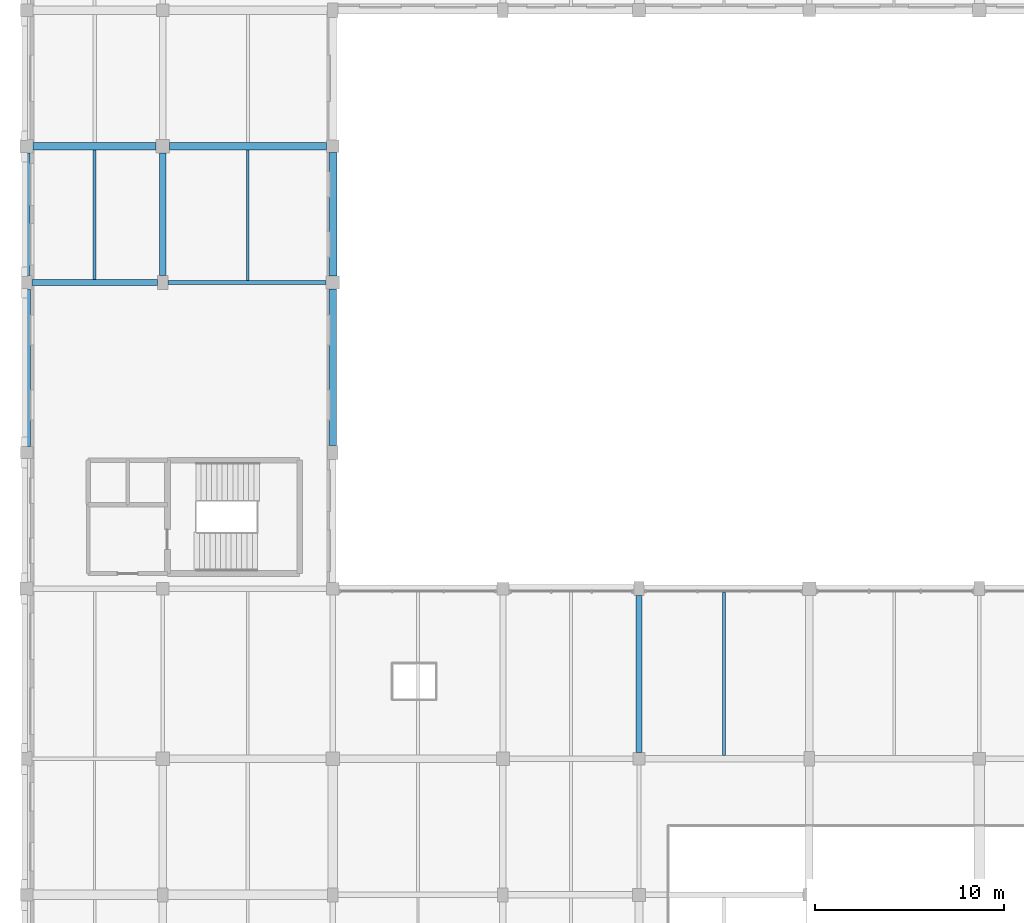
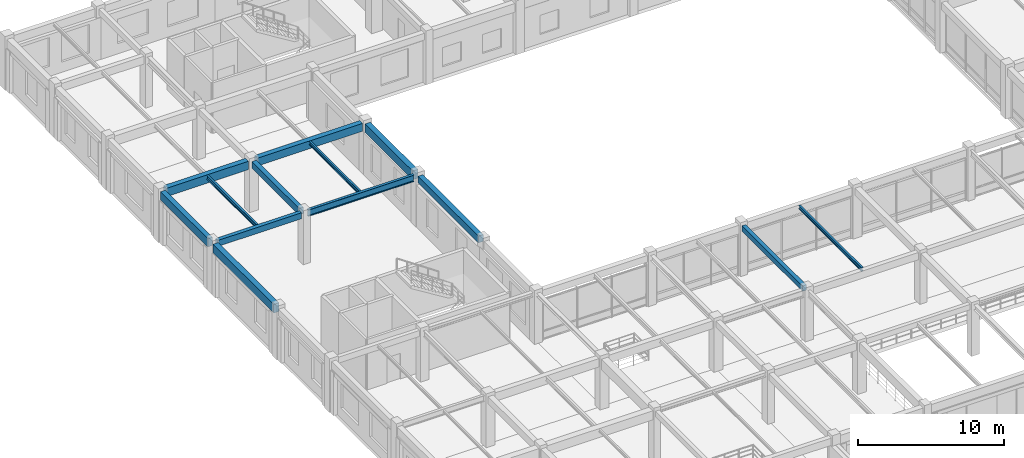
# One storey, part 12 of 62: 13 beams.
"""IFC4 building model written with IfcOpenShell, lengths in metres."""

from ifc_helpers import new_model, si_unit, direction, frame, origin, origin_2d, place, context, subcontext, project, spatial, rectangle, i_section, extrude, material, material_profile, profile_set, type_object, element, save


model = new_model("IFC4")

# Units and contexts
model_context = context("Model", 3, precision=1e-05, world=origin(), true_north=direction((0.0, 1.0)))
body_context = subcontext(model_context, "Body", "Model", "MODEL_VIEW")
ifc_project = project(units=[si_unit("LENGTHUNIT", "METRE"), si_unit("AREAUNIT", "SQUARE_METRE"), si_unit("VOLUMEUNIT", "CUBIC_METRE"), si_unit("PLANEANGLEUNIT", "RADIAN"), si_unit("MASSUNIT", "GRAM", prefix="KILO")], contexts=[model_context])

# Site, building, storey
site_placement = place(None, origin())
site = spatial("IfcSite", under=ifc_project, at=site_placement, CompositionType="ELEMENT")
building_placement = place(site_placement, origin())
building = spatial("IfcBuilding", under=site, at=building_placement, Name="Clarverna Civic Hall", CompositionType="ELEMENT")
storey_placement = place(building_placement, frame((0.0, 0.0, 5.10009765625)))
storey = spatial("IfcBuildingStorey", under=building, at=storey_placement, Name="L01", CompositionType="ELEMENT", Elevation=5.10009765625)

# Beams
ifc_material_1 = material(Name="Concrete C35/45", Category="concrete")
ifc_material_profile_1 = material_profile(ifc_material_1, rectangle(XDim=0.300048828125, YDim=0.5, at=origin_2d()), Name="RC 300x500")
ifc_profile_set_1 = profile_set([ifc_material_profile_1], Name="Concrete C35/45")
beam_type_1 = type_object("IfcBeamType", Name="B-RC12", PredefinedType="BEAM", material=ifc_profile_set_1)
beam_1_placement = place(storey_placement, frame((0.27490234375, 87.800048828125, 3.969970703125), z_axis=(1.0, 0.0, 0.0), x_axis=(0.0, 1.0, 0.0)))
element("IfcBeam", 1, at=beam_1_placement, inside=storey, type_object=beam_type_1, Name="B-RC12-030", PredefinedType="BEAM", context=body_context, shape_type="SweptSolid", body=[
    extrude(rectangle(XDim=0.300048828125, YDim=0.5, at=origin_2d()), origin(), (0.0, 0.0, 1.0), 6.650146484375),
])
ifc_material_profile_2 = material_profile(ifc_material_1, rectangle(XDim=0.300048828125, YDim=0.449951171875, at=origin_2d()), Name="RC 300x450")
ifc_profile_set_2 = profile_set([ifc_material_profile_2], Name="Concrete C35/45")
beam_type_2 = type_object("IfcBeamType", Name="B-RC18", PredefinedType="BEAM", material=ifc_profile_set_2)
beam_2_placement = place(storey_placement, frame((32.39990234375, 62.925048828125, 3.994873046875), z_axis=(0.0, 1.0, 0.0), x_axis=(-1.0, 0.0, 0.0)))
element("IfcBeam", 2, at=beam_2_placement, inside=storey, type_object=beam_type_2, Name="B-RC18-028", PredefinedType="BEAM", context=body_context, shape_type="SweptSolid", body=[
    extrude(rectangle(XDim=0.300048828125, YDim=0.449951171875, at=origin_2d()), origin(), (0.0, 0.0, 1.0), 8.300048828125),
])
ifc_material_profile_3 = material_profile(ifc_material_1, rectangle(XDim=0.39990234375, YDim=0.699951171875, at=origin_2d()), Name="RC 400x700")
ifc_profile_set_3 = profile_set([ifc_material_profile_3], Name="Concrete C35/45")
beam_type_3 = type_object("IfcBeamType", Name="B-RC5", PredefinedType="BEAM", material=ifc_profile_set_3)
beam_3_placement = place(storey_placement, frame((0.35009765625, 95.0, 3.869873046875), z_axis=(1.0, 0.0, 0.0), x_axis=(0.0, 1.0, 0.0)))
element("IfcBeam", 3, at=beam_3_placement, inside=storey, type_object=beam_type_3, Name="B-RC5-025", PredefinedType="BEAM", context=body_context, shape_type="SweptSolid", body=[
    extrude(rectangle(XDim=0.39990234375, YDim=0.699951171875, at=origin_2d()), origin(), (0.0, 0.0, 1.0), 6.5),
])
ifc_material_profile_4 = material_profile(ifc_material_1, rectangle(XDim=0.39990234375, YDim=0.64990234375, at=origin_2d()), Name="RC 400x650")
ifc_profile_set_4 = profile_set([ifc_material_profile_4], Name="Concrete C35/45")
beam_type_4 = type_object("IfcBeamType", Name="B-RC6", PredefinedType="BEAM", material=ifc_profile_set_4)
beam_4_placement = place(storey_placement, frame((7.550048828125, 95.0, 3.89501953125), z_axis=(1.0, 0.0, 0.0), x_axis=(0.0, 1.0, 0.0)))
element("IfcBeam", 4, at=beam_4_placement, inside=storey, type_object=beam_type_4, Name="B-RC6-029", PredefinedType="BEAM", context=body_context, shape_type="SweptSolid", body=[
    extrude(rectangle(XDim=0.39990234375, YDim=0.64990234375, at=origin_2d()), origin(), (0.0, 0.0, 1.0), 8.324951171875),
])
ifc_material_profile_5 = material_profile(ifc_material_1, rectangle(XDim=0.35009765625, YDim=0.550048828125, at=origin_2d()), Name="RC 350x550")
ifc_profile_set_5 = profile_set([ifc_material_profile_5], Name="Concrete C35/45")
beam_type_5 = type_object("IfcBeamType", Name="B-RC9", PredefinedType="BEAM", material=ifc_profile_set_5)
beam_5_placement = place(storey_placement, frame((7.199951171875, 88.175048828125, 3.94482421875), z_axis=(0.0, 1.0, 0.0), x_axis=(-1.0, 0.0, 0.0)))
element("IfcBeam", 5, at=beam_5_placement, inside=storey, type_object=beam_type_5, Name="B-RC9-028", PredefinedType="BEAM", context=body_context, shape_type="SweptSolid", body=[
    extrude(rectangle(XDim=0.35009765625, YDim=0.550048828125, at=origin_2d()), origin(), (0.0, 0.0, 1.0), 6.474853515625),
])
ifc_material_profile_6 = material_profile(ifc_material_1, rectangle(XDim=0.419921875, YDim=0.719970703125, at=origin_2d()), Name="RC 420x720")
ifc_profile_set_6 = profile_set([ifc_material_profile_6], Name="Concrete C35/45")
beam_type_6 = type_object("IfcBeamType", Name="B-SP1", PredefinedType="SPANDREL", material=ifc_profile_set_6)
beam_6_placement = place(storey_placement, frame((0.0, 79.125, 3.85986328125), z_axis=(0.0, 1.0, 0.0), x_axis=(-1.0, 0.0, 0.0)))
element("IfcBeam", 6, at=beam_6_placement, inside=storey, type_object=beam_type_6, Name="B-SP1-071", PredefinedType="SPANDREL", context=body_context, shape_type="SweptSolid", body=[
    extrude(rectangle(XDim=0.419921875, YDim=0.719970703125, at=origin_2d()), origin(), (0.0, 0.0, 1.0), 8.300048828125),
])
beam_7_placement = place(storey_placement, frame((16.199951171875, 88.14990234375, 3.85986328125), z_axis=(0.0, 1.0, 0.0), x_axis=(-1.0, 0.0, 0.0)))
element("IfcBeam", 7, at=beam_7_placement, inside=storey, type_object=beam_type_6, Name="B-SP1-073", PredefinedType="SPANDREL", context=body_context, shape_type="SweptSolid", body=[
    extrude(rectangle(XDim=0.419921875, YDim=0.719970703125, at=origin_2d()), origin(), (0.0, 0.0, 1.0), 6.525146484375),
])
ifc_material_profile_7 = material_profile(ifc_material_1, rectangle(XDim=0.3798828125, YDim=0.679931640625, at=origin_2d()), Name="RC 380x680")
ifc_profile_set_7 = profile_set([ifc_material_profile_7], Name="Concrete C35/45")
beam_type_7 = type_object("IfcBeamType", Name="B-SP2", PredefinedType="SPANDREL", material=ifc_profile_set_7)
beam_8_placement = place(storey_placement, frame((0.0, 88.175048828125, 3.8798828125), z_axis=(0.0, 1.0, 0.0), x_axis=(-1.0, 0.0, 0.0)))
element("IfcBeam", 8, at=beam_8_placement, inside=storey, type_object=beam_type_7, Name="B-SP2-073", PredefinedType="SPANDREL", context=body_context, shape_type="SweptSolid", body=[
    extrude(rectangle(XDim=0.3798828125, YDim=0.679931640625, at=origin_2d()), origin(), (0.0, 0.0, 1.0), 6.474853515625),
])
ifc_material_profile_8 = material_profile(ifc_material_1, rectangle(XDim=0.39990234375, YDim=0.56005859375, at=origin_2d()), Name="RC 400x560")
ifc_profile_set_8 = profile_set([ifc_material_profile_8], Name="Concrete C35/45")
beam_type_8 = type_object("IfcBeamType", Name="B-SP4", PredefinedType="SPANDREL", material=ifc_profile_set_8)
beam_9_placement = place(storey_placement, frame((16.199951171875, 79.175048828125, 3.93994140625), z_axis=(0.0, 1.0, 0.0), x_axis=(-1.0, 0.0, 0.0)))
element("IfcBeam", 9, at=beam_9_placement, inside=storey, type_object=beam_type_8, Name="B-SP4-071", PredefinedType="SPANDREL", context=body_context, shape_type="SweptSolid", body=[
    extrude(rectangle(XDim=0.39990234375, YDim=0.56005859375, at=origin_2d()), origin(), (0.0, 0.0, 1.0), 8.27490234375),
])
ifc_material_2 = material(Name="Steel S355", Category="steel")
ifc_material_profile_9 = material_profile(ifc_material_2, i_section(OverallWidth=0.2099609375, OverallDepth=0.550048828125, WebThickness=0.010986328125, FlangeThickness=0.01708984375, FilletRadius=0.02392578125, at=origin_2d()), Name="IPE 550")
ifc_profile_set_9 = profile_set([ifc_material_profile_9], Name="Steel S355")
beam_type_9 = type_object("IfcBeamType", Name="B-ST11", PredefinedType="BEAM", material=ifc_profile_set_9)
beam_10_placement = place(storey_placement, frame((7.47509765625, 87.800048828125, 3.94482421875), z_axis=(1.0, 0.0, 0.0), x_axis=(0.0, 1.0, 0.0)))
element("IfcBeam", 10, at=beam_10_placement, inside=storey, type_object=beam_type_9, Name="B-ST11-006", PredefinedType="BEAM", context=body_context, shape_type="SweptSolid", body=[
    extrude(i_section(OverallWidth=0.2099609375, OverallDepth=0.550048828125, WebThickness=0.010986328125, FlangeThickness=0.01708984375, FilletRadius=0.02392578125, at=origin_2d()), origin(), (0.0, 0.0, 1.0), 8.375),
])
ifc_material_profile_10 = material_profile(ifc_material_2, i_section(OverallWidth=0.159912109375, OverallDepth=0.330078125, WebThickness=0.007568359375, FlangeThickness=0.011474609375, FilletRadius=0.01806640625, at=origin_2d()), Name="IPE 330")
ifc_profile_set_10 = profile_set([ifc_material_profile_10], Name="Steel S355")
beam_type_10 = type_object("IfcBeamType", Name="J-ST2", PredefinedType="JOIST", material=ifc_profile_set_10)
beam_11_placement = place(storey_placement, frame((3.60009765625, 87.949951171875, 4.054931640625), z_axis=(0.0, 1.0, 0.0), x_axis=(-1.0, 0.0, 0.0)))
element("IfcBeam", 11, at=beam_11_placement, inside=storey, type_object=beam_type_10, Name="J-ST2-042", PredefinedType="JOIST", context=body_context, shape_type="SweptSolid", body=[
    extrude(i_section(OverallWidth=0.159912109375, OverallDepth=0.330078125, WebThickness=0.007568359375, FlangeThickness=0.011474609375, FilletRadius=0.01806640625, at=origin_2d()), origin(), (0.0, 0.0, 1.0), 6.85009765625),
])
ifc_material_profile_11 = material_profile(ifc_material_2, i_section(OverallWidth=0.14990234375, OverallDepth=0.300048828125, WebThickness=0.007080078125, FlangeThickness=0.0107421875, FilletRadius=0.014892578125, at=origin_2d()), Name="IPE 300")
ifc_profile_set_11 = profile_set([ifc_material_profile_11], Name="Steel S355")
beam_type_11 = type_object("IfcBeamType", Name="J-ST3", PredefinedType="JOIST", material=ifc_profile_set_11)
beam_12_placement = place(storey_placement, frame((36.89990234375, 62.77490234375, 4.06982421875), z_axis=(0.0, 1.0, 0.0), x_axis=(-1.0, 0.0, 0.0)))
element("IfcBeam", 12, at=beam_12_placement, inside=storey, type_object=beam_type_11, Name="J-ST3-040", PredefinedType="JOIST", context=body_context, shape_type="SweptSolid", body=[
    extrude(i_section(OverallWidth=0.14990234375, OverallDepth=0.300048828125, WebThickness=0.007080078125, FlangeThickness=0.0107421875, FilletRadius=0.014892578125, at=origin_2d()), origin(), (0.0, 0.0, 1.0), 8.635009765625),
])
beam_13_placement = place(storey_placement, frame((11.699951171875, 87.905029296875, 4.06982421875), z_axis=(0.0, 1.0, 0.0), x_axis=(-1.0, 0.0, 0.0)))
element("IfcBeam", 13, at=beam_13_placement, inside=storey, type_object=beam_type_11, Name="J-ST3-042", PredefinedType="JOIST", context=body_context, shape_type="SweptSolid", body=[
    extrude(i_section(OverallWidth=0.14990234375, OverallDepth=0.300048828125, WebThickness=0.007080078125, FlangeThickness=0.0107421875, FilletRadius=0.014892578125, at=origin_2d()), origin(), (0.0, 0.0, 1.0), 6.89501953125),
])

save(model, "model.ifc")
